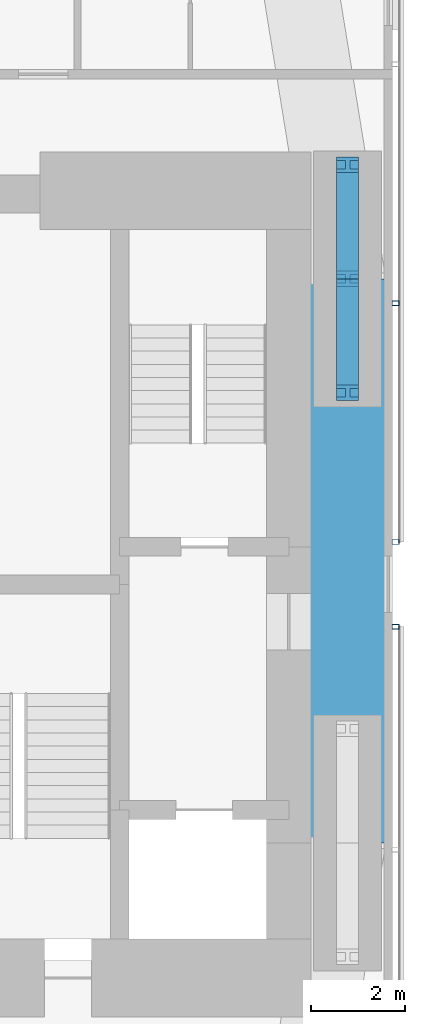
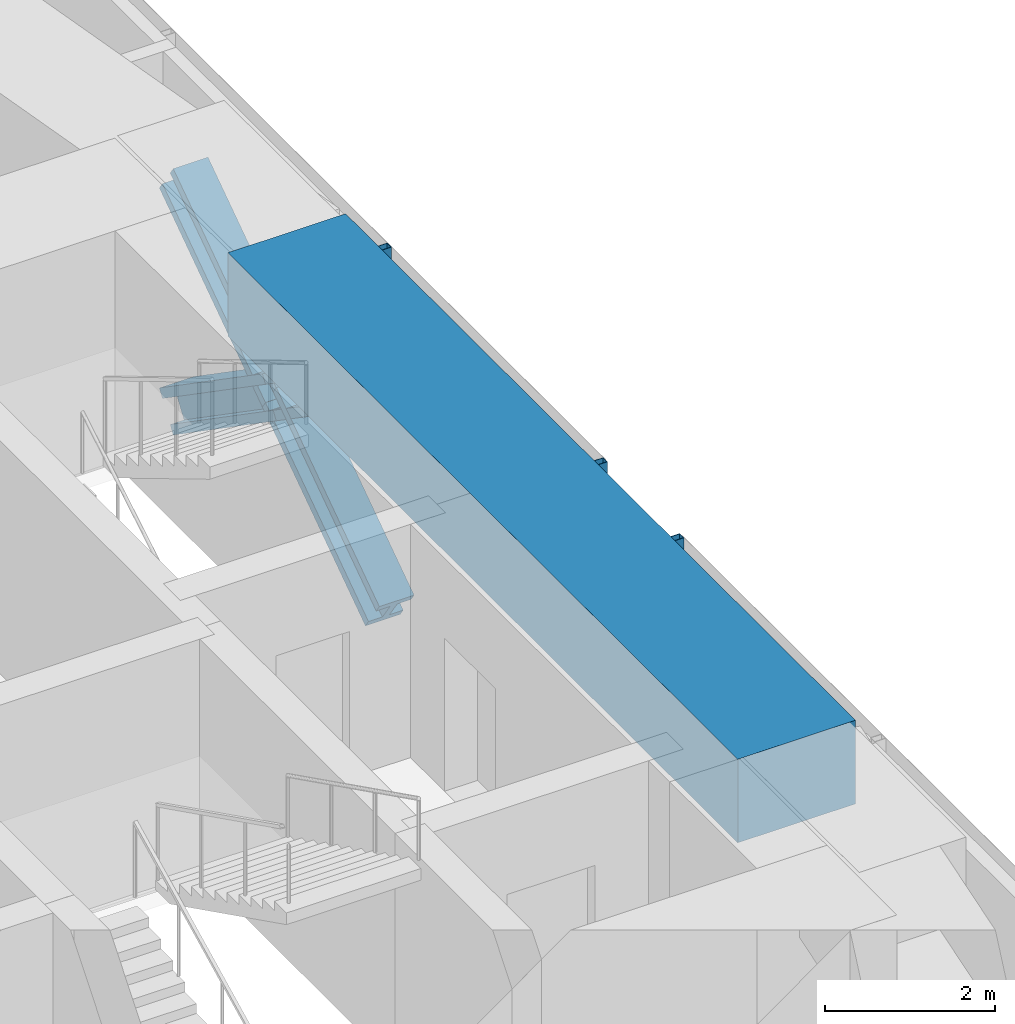
# One storey, part 10 of 24: 7 members, 1 beam, 2 elements without a shape of their own.
"""IFC4 building model written with IfcOpenShell, lengths in metres."""

from ifc_helpers import new_model, si_unit, direction, frame, origin, origin_2d, place, context, subcontext, project, spatial, rectangle, hollow_rectangle, i_section, extrude, material, material_profile, profile_set, type_object, element, aggregate, save


model = new_model("IFC4")

# Units and contexts
model_context = context("Model", 3, precision=1e-05, world=origin(), true_north=direction((0.0, 1.0)))
body_context = subcontext(model_context, "Body", "Model", "MODEL_VIEW")
ifc_project = project(units=[si_unit("LENGTHUNIT", "METRE"), si_unit("AREAUNIT", "SQUARE_METRE"), si_unit("VOLUMEUNIT", "CUBIC_METRE"), si_unit("PLANEANGLEUNIT", "RADIAN"), si_unit("MASSUNIT", "GRAM", prefix="KILO")], contexts=[model_context])

# Site, building, storey
site_placement = place(None, origin())
site = spatial("IfcSite", under=ifc_project, at=site_placement, CompositionType="ELEMENT")
building_placement = place(site_placement, origin())
building = spatial("IfcBuilding", under=site, at=building_placement, Name="Jalousie Tower", CompositionType="ELEMENT")
storey_placement = place(building_placement, frame((0.0, 0.0, 44.449951171875)))
storey = spatial("IfcBuildingStorey", under=building, at=storey_placement, Name="L11", CompositionType="ELEMENT", Elevation=44.449951171875)

# Members
ifc_material_1 = material(Name="Steel ASTM A992 Grade 50", Category="steel")
ifc_material_profile_1 = material_profile(ifc_material_1, i_section(OverallWidth=0.472412109375, OverallDepth=0.5791015625, WebThickness=0.094970703125, FlangeThickness=0.1298828125, at=origin_2d()), Name="W14X808")
ifc_profile_set_1 = profile_set([ifc_material_profile_1], Name="Steel ASTM A992 Grade 50")
member_type_1 = type_object("IfcMemberType", Name="PERIMETER BRACE W14X808", PredefinedType="BRACE", material=ifc_profile_set_1)
for number, where, z_axis, x_axis, name in (
    (1, (45.050048828125, 22.574951171875, -0.599853515625), (0.0, 0.82283879777, 0.568274856811), (-1.0, 0.0, 0.0), "Perimeter brace 07 L11 part 1"),
    (2, (45.050048828125, 25.0, 1.074951171875), (0.0, 0.822800062329, 0.568330940062), (-1.0, 0.0, 0.0), "Perimeter brace 07 L11 part 2"),
    (3, (45.050048828125, 27.425048828125, -0.599853515625), (0.0, -0.82283879777, 0.568274856811), (1.0, 0.0, 0.0), "Perimeter brace 07 L11 part 3"),
    (4, (45.050048828125, 25.0, 1.074951171875), (0.0, -0.822800062329, 0.568330940062), (1.0, 0.0, 0.0), "Perimeter brace 07 L11 part 4"),
):
    element("IfcMember", number, at=place(storey_placement, frame(where, z_axis=z_axis, x_axis=x_axis)), inside=storey, type_object=member_type_1, Name=name, PredefinedType="BRACE", context=body_context, shape_type="SweptSolid", body=[
        extrude(i_section(OverallWidth=0.472412109375, OverallDepth=0.5791015625, WebThickness=0.094970703125, FlangeThickness=0.1298828125, at=origin_2d()), origin(), (0.0, 0.0, 1.0), 2.947265625),
    ])

# Beam
ifc_material_2 = material(Name="Concrete f'c 40 MPa", Category="concrete")
ifc_material_profile_2 = material_profile(ifc_material_2, rectangle(XDim=1.60009765625, YDim=1.199951171875, at=origin_2d()), Name="RC 1600x1200")
ifc_profile_set_2 = profile_set([ifc_material_profile_2], Name="Concrete f'c 40 MPa")
beam_type = type_object("IfcBeamType", Name="RC BEAM 1600x1200", PredefinedType="BEAM", material=ifc_profile_set_2)
beam_placement = place(storey_placement, frame((45.050048828125, 13.0, 2.75), z_axis=(0.0, 1.0, 0.0), x_axis=(-1.0, 0.0, 0.0)))
element("IfcBeam", 5, at=beam_placement, inside=storey, type_object=beam_type, Name="Edge band beam 06-07 under L12", PredefinedType="BEAM", context=body_context, shape_type="SweptSolid", body=[
    extrude(rectangle(XDim=1.60009765625, YDim=1.199951171875, at=origin_2d()), origin(), (0.0, 0.0, 1.0), 12.0),
])

# Curtain wall, member
ifc_material_3 = material(Name="Perforated aluminium sheet", Category="aluminium")
curtain_wall_type = type_object("IfcCurtainWallType", Name="SOLAR SCREEN SS-1", PredefinedType="USERDEFINED", material=ifc_material_3)
curtain_wall_1_placement = place(storey_placement, origin())
curtain_wall_1 = element("IfcCurtainWall", 6, at=curtain_wall_1_placement, inside=storey, type_object=curtain_wall_type, Name="Solar screen L11", ObjectType="SOLAR SCREEN SS-1", PredefinedType="USERDEFINED")
ifc_material_4 = material(Name="Steel ASTM A500 Grade C", Category="steel")
ifc_material_profile_3 = material_profile(ifc_material_4, hollow_rectangle(XDim=0.1015625, YDim=0.15234375, WallThickness=0.00634765625, at=origin_2d()), Name="HSS6X4X1/4")
ifc_profile_set_3 = profile_set([ifc_material_profile_3], Name="Steel ASTM A500 Grade C")
member_type_2 = type_object("IfcMemberType", Name="SOLAR SCREEN SS-1 MULLION", PredefinedType="MULLION", material=ifc_profile_set_3)
member_1_placement = place(storey_placement, frame((46.0712890625, 17.60009765625, -0.119873046875), z_axis=(0.0, 0.0, 1.0), x_axis=(0.0, 1.0, 0.0)))
member_1 = element("IfcMember", 7, at=member_1_placement, type_object=member_type_2, Name="SS1 post 4", PredefinedType="MULLION", context=body_context, shape_type="SweptSolid", body=[
    extrude(hollow_rectangle(XDim=0.1015625, YDim=0.15234375, WallThickness=0.00634765625, at=origin_2d()), origin(), (0.0, 0.0, 1.0), 3.22998046875),
])
aggregate(curtain_wall_1, [member_1])

# Curtain wall, members
curtain_wall_2_placement = place(storey_placement, origin())
curtain_wall_2 = element("IfcCurtainWall", 8, at=curtain_wall_2_placement, inside=storey, type_object=curtain_wall_type, Name="Solar screen L11", ObjectType="SOLAR SCREEN SS-1", PredefinedType="USERDEFINED")
member_2_placement = place(storey_placement, frame((46.0712890625, 19.39990234375, -0.119873046875), z_axis=(0.0, 0.0, 1.0), x_axis=(0.0, 1.0, 0.0)))
member_2 = element("IfcMember", 9, at=member_2_placement, type_object=member_type_2, Name="SS1 post 1", PredefinedType="MULLION", context=body_context, shape_type="SweptSolid", body=[
    extrude(hollow_rectangle(XDim=0.1015625, YDim=0.15234375, WallThickness=0.00634765625, at=origin_2d()), origin(), (0.0, 0.0, 1.0), 3.22998046875),
])
member_3_placement = place(storey_placement, frame((46.0712890625, 24.48291015625, -0.119873046875), z_axis=(0.0, 0.0, 1.0), x_axis=(0.0, 1.0, 0.0)))
member_3 = element("IfcMember", 10, at=member_3_placement, type_object=member_type_2, Name="SS1 post 2", PredefinedType="MULLION", context=body_context, shape_type="SweptSolid", body=[
    extrude(hollow_rectangle(XDim=0.1015625, YDim=0.15234375, WallThickness=0.00634765625, at=origin_2d()), origin(), (0.0, 0.0, 1.0), 3.22998046875),
])
aggregate(curtain_wall_2, [member_2, member_3])

save(model, "model.ifc")
